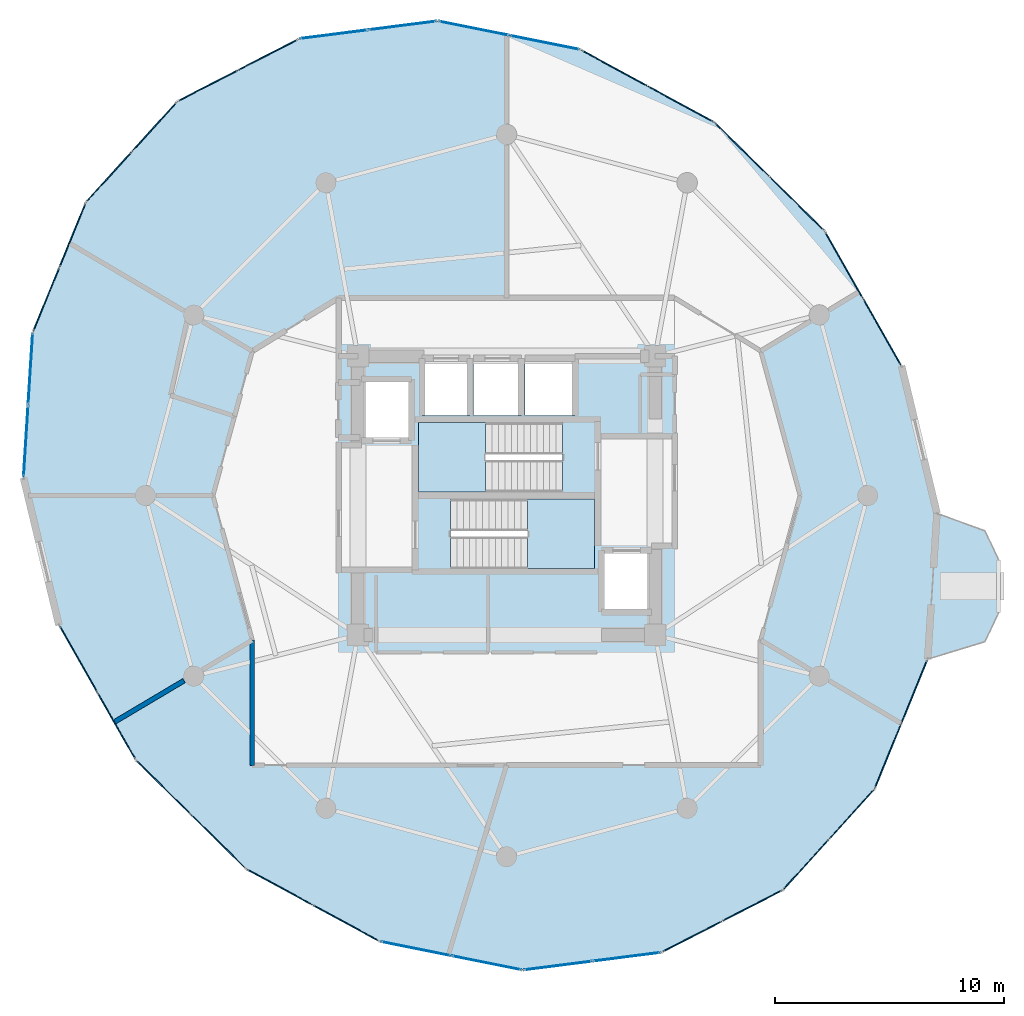
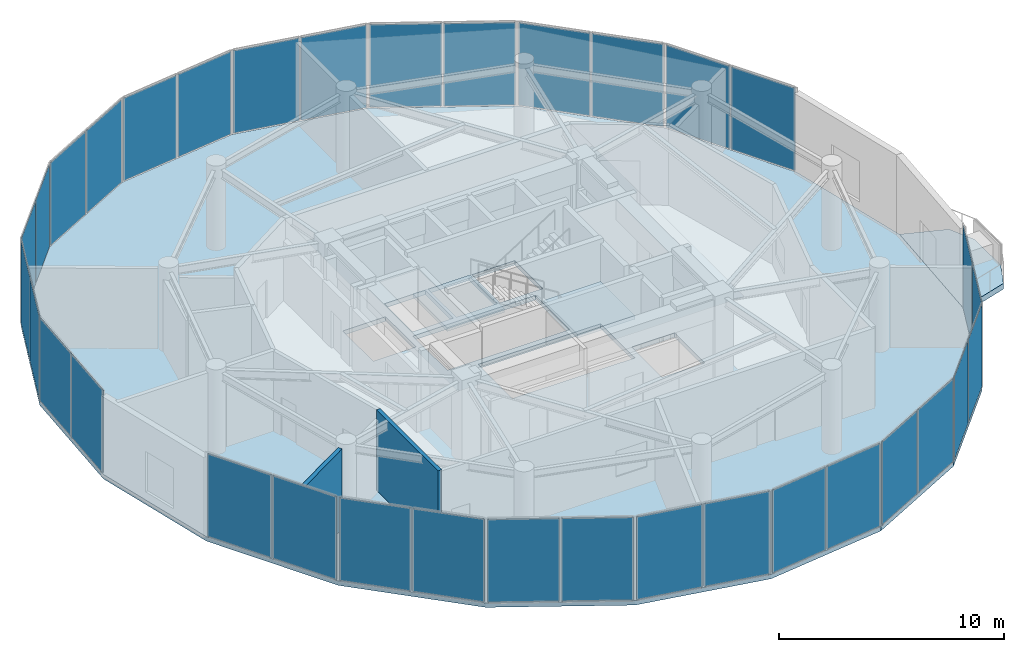
# One storey, part 18 of 23: 34 plates, 4 slabs, 2 walls, 19 elements without a shape of their own.
"""IFC4 building model written with IfcOpenShell, lengths in metres."""

from ifc_helpers import new_model, si_unit, direction, frame, frame_2d, origin, origin_2d, place, context, subcontext, project, spatial, polyline, rectangle, outline, extrude, source, transform, mapped, material, layer, layer_set, type_object, element, aggregate, save


model = new_model("IFC4")

# Units and contexts
model_context = context("Model", 3, precision=1e-05, world=origin(), true_north=direction((0.0, 1.0)))
body_context = subcontext(model_context, "Body", "Model", "MODEL_VIEW")
ifc_project = project(units=[si_unit("LENGTHUNIT", "METRE"), si_unit("AREAUNIT", "SQUARE_METRE"), si_unit("VOLUMEUNIT", "CUBIC_METRE"), si_unit("PLANEANGLEUNIT", "RADIAN"), si_unit("MASSUNIT", "GRAM", prefix="KILO")], contexts=[model_context])

# Site, building, storey
site_placement = place(None, origin())
site = spatial("IfcSite", under=ifc_project, at=site_placement, CompositionType="ELEMENT")
building_placement = place(site_placement, origin())
building = spatial("IfcBuilding", under=site, at=building_placement, Name="Solvirekh Grand Hotel", CompositionType="ELEMENT")
storey_placement = place(building_placement, frame((0.0, 0.0, 168.60009765625)))
storey = spatial("IfcBuildingStorey", under=building, at=storey_placement, Name="L43", CompositionType="ELEMENT", Elevation=168.60009765625)

# Slab
ifc_material_1 = material(Name="Concrete C50/60", Category="concrete")
ifc_layer_1 = layer(ifc_material_1, 0.31005859375)
ifc_layer_set_1 = layer_set([ifc_layer_1], Name="Concrete C50/60")
slab_type_1 = type_object("IfcSlabType", Name="ExtHornSkyGarden_310", PredefinedType="FLOOR", material=ifc_layer_set_1)
slab_1_placement = place(storey_placement, frame((0.0, 0.0, -0.31005859375)))
element("IfcSlab", 1, at=slab_1_placement, inside=storey, type_object=slab_type_1, Name="L43 east horn sky-garden deck", PredefinedType="FLOOR", context=body_context, shape_type="SweptSolid", body=[
    extrude(outline(polyline([(18.827880859375, -0.778076171875), (18.424072265625, -7.155029296875), (20.927978515625, -6.389892578125), (21.528076171875, -5.114013671875), (21.528076171875, -2.819091796875), (20.927978515625, -1.54296875), (18.827880859375, -0.778076171875)])), origin(), (0.0, 0.0, 1.0), 0.31005859375),
])

# Stair, slab
ifc_material_2 = material(Name="Concrete C40/50", Category="concrete")
stair_type = type_object("IfcStairType", Name="Stair_Core_1450", PredefinedType="HALF_TURN_STAIR", material=ifc_material_2)
stair_1_placement = place(storey_placement, origin())
stair_1 = element("IfcStair", 2, at=stair_1_placement, inside=storey, type_object=stair_type, Name="L43 Enclosed exit stair ST-1", PredefinedType="HALF_TURN_STAIR")
ifc_layer_2 = layer(ifc_material_2, 0.199951171875)
ifc_layer_set_2 = layer_set([ifc_layer_2], Name="Concrete C40/50")
slab_type_2 = type_object("IfcSlabType", Name="Landing_Stair_200", PredefinedType="LANDING", material=ifc_layer_set_2)
slab_2_placement = place(storey_placement, frame((0.0, 0.0, 2.099853515625)))
slab_2 = element("IfcSlab", 3, at=slab_2_placement, type_object=slab_type_2, Name="ST-1 landing 1", PredefinedType="LANDING", context=body_context, shape_type="SweptSolid", body=[
    extrude(outline(polyline([(0.909912109375, -3.199951171875), (3.85009765625, -3.199951171875), (3.85009765625, -0.14990234375), (0.909912109375, -0.14990234375), (0.909912109375, -3.199951171875)])), origin(), (0.0, 0.0, 1.0), 0.199951171875),
])
aggregate(stair_1, [slab_2])

stair_2_placement = place(storey_placement, origin())
stair_2 = element("IfcStair", 4, at=stair_2_placement, inside=storey, type_object=stair_type, Name="L43 Enclosed exit stair ST-2", PredefinedType="HALF_TURN_STAIR")
slab_3_placement = place(storey_placement, frame((0.0, 0.0, 2.099853515625)))
slab_3 = element("IfcSlab", 5, at=slab_3_placement, type_object=slab_type_2, Name="ST-2 landing 1", PredefinedType="LANDING", context=body_context, shape_type="SweptSolid", body=[
    extrude(outline(polyline([(-0.909912109375, 3.199951171875), (-3.85009765625, 3.199951171875), (-3.85009765625, 0.14990234375), (-0.909912109375, 0.14990234375), (-0.909912109375, 3.199951171875)])), origin(), (0.0, 0.0, 1.0), 0.199951171875),
])
aggregate(stair_2, [slab_3])

# Slab
ifc_layer_3 = layer(ifc_material_2, 0.239990234375)
ifc_layer_set_3 = layer_set([ifc_layer_3], Name="Concrete C40/50")
slab_type_3 = type_object("IfcSlabType", Name="Slab_GuestZ3_240", PredefinedType="FLOOR", material=ifc_layer_set_3)
slab_4_placement = place(storey_placement, frame((0.0, 0.0, -0.239990234375)))
element("IfcSlab", 6, at=slab_4_placement, inside=storey, type_object=slab_type_3, Name="L43 structural floor slab", PredefinedType="FLOOR", context=body_context, shape_type="SweptSolid", body=[
    extrude(outline(polyline([(12.096923828125, -17.2509765625), (16.10498046875, -12.8310546875), (18.424072265625, -7.155029296875), (18.827880859375, -0.778076171875), (17.27587890625, 5.675048828125), (13.919921875, 11.572021484375), (9.089111328125, 16.3359375), (3.2548828125, 19.5009765625), (-3.009033203125, 20.758056640625), (-9.091064453125, 19.98193359375), (-14.39697265625, 17.2509765625), (-18.405029296875, 12.8310546875), (-20.72412109375, 7.155029296875), (-21.1279296875, 0.778076171875), (-19.575927734375, -5.675048828125), (-16.219970703125, -11.572021484375), (-11.388916015625, -16.3359375), (-5.554931640625, -19.5009765625), (0.708984375, -20.758056640625), (6.791015625, -19.98193359375), (12.096923828125, -17.2509765625)]), holes=[polyline([(-2.444091796875, -0.14990234375), (3.85009765625, -0.14990234375), (3.85009765625, -3.199951171875), (-2.444091796875, -3.199951171875), (-2.444091796875, -0.14990234375)]), polyline([(2.444091796875, 0.14990234375), (-3.85009765625, 0.14990234375), (-3.85009765625, 3.199951171875), (2.444091796875, 3.199951171875), (2.444091796875, 0.14990234375)]), polyline([(-3.699951171875, 6.0), (-1.60009765625, 6.0), (-1.60009765625, 3.5), (-3.699951171875, 3.5), (-3.699951171875, 6.0)]), polyline([(-1.449951171875, 6.0), (0.64990234375, 6.0), (0.64990234375, 3.5), (-1.449951171875, 3.5), (-1.449951171875, 6.0)]), polyline([(0.800048828125, 6.0), (3.0, 6.0), (3.0, 3.5), (0.800048828125, 3.5), (0.800048828125, 6.0)]), polyline([(-6.35009765625, 5.10009765625), (-4.14990234375, 5.10009765625), (-4.14990234375, 2.39990234375), (-6.35009765625, 2.39990234375), (-6.35009765625, 5.10009765625)]), polyline([(4.14990234375, -2.39990234375), (6.35009765625, -2.39990234375), (6.35009765625, -5.10009765625), (4.14990234375, -5.10009765625), (4.14990234375, -2.39990234375)])]), origin(), (0.0, 0.0, 1.0), 0.239990234375),
])

# Curtain wall, plates
ifc_material_3 = material(Name="Anodized Bronze Aluminium 6063-T6", Category="aluminium")
ifc_layer_4 = layer(ifc_material_3, 0.18994140625)
ifc_layer_set_4 = layer_set([ifc_layer_4], Name="Anodized Bronze Aluminium 6063-T6")
curtain_wall_type = type_object("IfcCurtainWallType", Name="CW_Sys5_SkyLobbyPanoramaCW", PredefinedType="NOTDEFINED", material=ifc_layer_set_4)
curtain_wall_1_placement = place(storey_placement, origin())
curtain_wall_1 = element("IfcCurtainWall", 7, at=curtain_wall_1_placement, inside=storey, type_object=curtain_wall_type, Name="L43 unitised bronze-glass curtain wall CW-L43-C01", PredefinedType="NOTDEFINED")
ifc_material_4 = material(Name="Low-E Tinted Bronze Laminated Glass", Category="aluminium")
ifc_layer_5 = layer(ifc_material_4, 0.0419921875)
ifc_layer_set_5 = layer_set([ifc_layer_5], Name="Low-E Tinted Bronze Laminated Glass")
plate_type = type_object("IfcPlateType", Name="CWPanel_SkyLobby_42", PredefinedType="CURTAIN_PANEL", material=ifc_layer_set_5)
shared_shape_1 = source(origin(), body_context, "Body", "SweptSolid", [
    extrude(rectangle(XDim=2.87841796875, YDim=0.0419921875, at=origin_2d()), origin(), (0.0, 0.0, 1.0), 4.47998046875),
])
plate_1_placement = place(storey_placement, frame((13.11083984375, -16.133056640625, 0.059814453125), z_axis=(0.0, 0.0, 1.0), x_axis=(0.671737948594, 0.740788855491, 0.0)))
plate_1 = element("IfcPlate", 8, at=plate_1_placement, type_object=plate_type, Name="U05 panel 1.1", PredefinedType="CURTAIN_PANEL", context=body_context, shape_type="MappedRepresentation", body=[
    mapped(shared_shape_1, transform((0.0, 0.0, 0.0), x_axis=(1.0, 0.0, 0.0), y_axis=(0.0, 1.0, 0.0), z_axis=(0.0, 0.0, 1.0), scale=1.0)),
])
plate_2_placement = place(storey_placement, frame((15.09130859375, -13.948974609375, 0.059814453125), z_axis=(0.0, 0.0, 1.0), x_axis=(0.671737948594, 0.740788855491, 0.0)))
plate_2 = element("IfcPlate", 9, at=plate_2_placement, type_object=plate_type, Name="U05 panel 2.1", PredefinedType="CURTAIN_PANEL", context=body_context, shape_type="MappedRepresentation", body=[
    mapped(shared_shape_1, transform((0.0, 0.0, 0.0), x_axis=(1.0, 0.0, 0.0), y_axis=(0.0, 1.0, 0.0), z_axis=(0.0, 0.0, 1.0), scale=1.0)),
])
aggregate(curtain_wall_1, [plate_1, plate_2])

curtain_wall_2_placement = place(storey_placement, origin())
curtain_wall_2 = element("IfcCurtainWall", 10, at=curtain_wall_2_placement, inside=storey, type_object=curtain_wall_type, Name="L43 unitised bronze-glass curtain wall CW-L43-C11", PredefinedType="NOTDEFINED")
plate_3_placement = place(storey_placement, frame((-15.41064453125, 16.133056640625, 0.059814453125), z_axis=(0.0, 0.0, 1.0), x_axis=(-0.671737948594, -0.740788855491, 0.0)))
plate_3 = element("IfcPlate", 11, at=plate_3_placement, type_object=plate_type, Name="U05 panel 1.1", PredefinedType="CURTAIN_PANEL", context=body_context, shape_type="MappedRepresentation", body=[
    mapped(shared_shape_1, transform((0.0, 0.0, 0.0), x_axis=(1.0, 0.0, 0.0), y_axis=(0.0, 1.0, 0.0), z_axis=(0.0, 0.0, 1.0), scale=1.0)),
])
plate_4_placement = place(storey_placement, frame((-17.391357421875, 13.948974609375, 0.059814453125), z_axis=(0.0, 0.0, 1.0), x_axis=(-0.671737948594, -0.740788855491, 0.0)))
plate_4 = element("IfcPlate", 12, at=plate_4_placement, type_object=plate_type, Name="U05 panel 2.1", PredefinedType="CURTAIN_PANEL", context=body_context, shape_type="MappedRepresentation", body=[
    mapped(shared_shape_1, transform((0.0, 0.0, 0.0), x_axis=(1.0, 0.0, 0.0), y_axis=(0.0, 1.0, 0.0), z_axis=(0.0, 0.0, 1.0), scale=1.0)),
])
aggregate(curtain_wall_2, [plate_3, plate_4])

curtain_wall_3_placement = place(storey_placement, origin())
curtain_wall_3 = element("IfcCurtainWall", 13, at=curtain_wall_3_placement, inside=storey, type_object=curtain_wall_type, Name="L43 unitised bronze-glass curtain wall CW-L43-C02", PredefinedType="NOTDEFINED")
shared_shape_2 = source(origin(), body_context, "Body", "SweptSolid", [
    extrude(rectangle(XDim=2.960693359375, YDim=0.0419921875, at=origin_2d()), origin(), (0.0, 0.0, 1.0), 4.47998046875),
])
plate_5_placement = place(storey_placement, frame((16.69140625, -11.395751953125, 0.059814453125), z_axis=(0.0, 0.0, 1.0), x_axis=(0.378213671203, 0.925718325904, 0.0)))
plate_5 = element("IfcPlate", 14, at=plate_5_placement, type_object=plate_type, Name="U05 panel 1.1", PredefinedType="CURTAIN_PANEL", context=body_context, shape_type="MappedRepresentation", body=[
    mapped(shared_shape_2, transform((0.0, 0.0, 0.0), x_axis=(1.0, 0.0, 0.0), y_axis=(0.0, 1.0, 0.0), z_axis=(0.0, 0.0, 1.0), scale=1.0)),
])
plate_6_placement = place(storey_placement, frame((17.837646484375, -8.590087890625, 0.059814453125), z_axis=(0.0, 0.0, 1.0), x_axis=(0.378213671203, 0.925718325904, 0.0)))
plate_6 = element("IfcPlate", 15, at=plate_6_placement, type_object=plate_type, Name="U05 panel 2.1", PredefinedType="CURTAIN_PANEL", context=body_context, shape_type="MappedRepresentation", body=[
    mapped(shared_shape_2, transform((0.0, 0.0, 0.0), x_axis=(1.0, 0.0, 0.0), y_axis=(0.0, 1.0, 0.0), z_axis=(0.0, 0.0, 1.0), scale=1.0)),
])
aggregate(curtain_wall_3, [plate_5, plate_6])

curtain_wall_4_placement = place(storey_placement, origin())
curtain_wall_4 = element("IfcCurtainWall", 16, at=curtain_wall_4_placement, inside=storey, type_object=curtain_wall_type, Name="L43 unitised bronze-glass curtain wall CW-L43-C09", PredefinedType="NOTDEFINED")
plate_7_placement = place(storey_placement, frame((-4.546875, 20.561767578125, 0.059814453125), z_axis=(0.0, 0.0, 1.0), x_axis=(-0.991958495155, -0.12656359623, 0.0)))
plate_7 = element("IfcPlate", 17, at=plate_7_placement, type_object=plate_type, Name="U05 panel 1.1", PredefinedType="CURTAIN_PANEL", context=body_context, shape_type="MappedRepresentation", body=[
    mapped(shared_shape_2, transform((0.0, 0.0, 0.0), x_axis=(1.0, 0.0, 0.0), y_axis=(0.0, 1.0, 0.0), z_axis=(0.0, 0.0, 1.0), scale=1.0)),
])
plate_8_placement = place(storey_placement, frame((-7.55322265625, 20.17822265625, 0.059814453125), z_axis=(0.0, 0.0, 1.0), x_axis=(-0.991958495155, -0.12656359623, 0.0)))
plate_8 = element("IfcPlate", 18, at=plate_8_placement, type_object=plate_type, Name="U05 panel 2.1", PredefinedType="CURTAIN_PANEL", context=body_context, shape_type="MappedRepresentation", body=[
    mapped(shared_shape_2, transform((0.0, 0.0, 0.0), x_axis=(1.0, 0.0, 0.0), y_axis=(0.0, 1.0, 0.0), z_axis=(0.0, 0.0, 1.0), scale=1.0)),
])
aggregate(curtain_wall_4, [plate_7, plate_8])

curtain_wall_5_placement = place(storey_placement, origin())
curtain_wall_5 = element("IfcCurtainWall", 19, at=curtain_wall_5_placement, inside=storey, type_object=curtain_wall_type, Name="L43 unitised bronze-glass curtain wall CW-L43-C12", PredefinedType="NOTDEFINED")
plate_9_placement = place(storey_placement, frame((-18.991455078125, 11.395751953125, 0.059814453125), z_axis=(0.0, 0.0, 1.0), x_axis=(-0.378213671203, -0.925718325904, 0.0)))
plate_9 = element("IfcPlate", 20, at=plate_9_placement, type_object=plate_type, Name="U05 panel 1.1", PredefinedType="CURTAIN_PANEL", context=body_context, shape_type="MappedRepresentation", body=[
    mapped(shared_shape_2, transform((0.0, 0.0, 0.0), x_axis=(1.0, 0.0, 0.0), y_axis=(0.0, 1.0, 0.0), z_axis=(0.0, 0.0, 1.0), scale=1.0)),
])
plate_10_placement = place(storey_placement, frame((-20.1376953125, 8.590087890625, 0.059814453125), z_axis=(0.0, 0.0, 1.0), x_axis=(-0.378213671203, -0.925718325904, 0.0)))
plate_10 = element("IfcPlate", 21, at=plate_10_placement, type_object=plate_type, Name="U05 panel 2.1", PredefinedType="CURTAIN_PANEL", context=body_context, shape_type="MappedRepresentation", body=[
    mapped(shared_shape_2, transform((0.0, 0.0, 0.0), x_axis=(1.0, 0.0, 0.0), y_axis=(0.0, 1.0, 0.0), z_axis=(0.0, 0.0, 1.0), scale=1.0)),
])
aggregate(curtain_wall_5, [plate_9, plate_10])

curtain_wall_6_placement = place(storey_placement, origin())
curtain_wall_6 = element("IfcCurtainWall", 22, at=curtain_wall_6_placement, inside=storey, type_object=curtain_wall_type, Name="L43 unitised bronze-glass curtain wall CW-L43-C19", PredefinedType="NOTDEFINED")
plate_11_placement = place(storey_placement, frame((2.246826171875, -20.561767578125, 0.059814453125), z_axis=(0.0, 0.0, 1.0), x_axis=(0.991958495155, 0.12656359623, 0.0)))
plate_11 = element("IfcPlate", 23, at=plate_11_placement, type_object=plate_type, Name="U05 panel 1.1", PredefinedType="CURTAIN_PANEL", context=body_context, shape_type="MappedRepresentation", body=[
    mapped(shared_shape_2, transform((0.0, 0.0, 0.0), x_axis=(1.0, 0.0, 0.0), y_axis=(0.0, 1.0, 0.0), z_axis=(0.0, 0.0, 1.0), scale=1.0)),
])
plate_12_placement = place(storey_placement, frame((5.253173828125, -20.17822265625, 0.059814453125), z_axis=(0.0, 0.0, 1.0), x_axis=(0.991958495155, 0.12656359623, 0.0)))
plate_12 = element("IfcPlate", 24, at=plate_12_placement, type_object=plate_type, Name="U05 panel 2.1", PredefinedType="CURTAIN_PANEL", context=body_context, shape_type="MappedRepresentation", body=[
    mapped(shared_shape_2, transform((0.0, 0.0, 0.0), x_axis=(1.0, 0.0, 0.0), y_axis=(0.0, 1.0, 0.0), z_axis=(0.0, 0.0, 1.0), scale=1.0)),
])
aggregate(curtain_wall_6, [plate_11, plate_12])

curtain_wall_7_placement = place(storey_placement, origin())
curtain_wall_7 = element("IfcCurtainWall", 25, at=curtain_wall_7_placement, inside=storey, type_object=curtain_wall_type, Name="L43 unitised bronze-glass curtain wall CW-L43-C05", PredefinedType="NOTDEFINED")
shared_shape_3 = source(origin(), body_context, "Body", "SweptSolid", [
    extrude(rectangle(XDim=3.28759765625, YDim=0.0419921875, at=origin_2d()), origin(), (0.0, 0.0, 1.0), 4.47998046875),
])
plate_13_placement = place(storey_placement, frame((16.42822265625, 7.16455078125, 0.059814453125), z_axis=(0.0, 0.0, 1.0), x_axis=(-0.494614469755, 0.869112493472, 0.0)))
plate_13 = element("IfcPlate", 26, at=plate_13_placement, type_object=plate_type, Name="U05 panel 1.1", PredefinedType="CURTAIN_PANEL", context=body_context, shape_type="MappedRepresentation", body=[
    mapped(shared_shape_3, transform((0.0, 0.0, 0.0), x_axis=(1.0, 0.0, 0.0), y_axis=(0.0, 1.0, 0.0), z_axis=(0.0, 0.0, 1.0), scale=1.0)),
])
plate_14_placement = place(storey_placement, frame((14.767578125, 10.08251953125, 0.059814453125), z_axis=(0.0, 0.0, 1.0), x_axis=(-0.494614469755, 0.869112493472, 0.0)))
plate_14 = element("IfcPlate", 27, at=plate_14_placement, type_object=plate_type, Name="U05 panel 2.1", PredefinedType="CURTAIN_PANEL", context=body_context, shape_type="MappedRepresentation", body=[
    mapped(shared_shape_3, transform((0.0, 0.0, 0.0), x_axis=(1.0, 0.0, 0.0), y_axis=(0.0, 1.0, 0.0), z_axis=(0.0, 0.0, 1.0), scale=1.0)),
])
aggregate(curtain_wall_7, [plate_13, plate_14])

curtain_wall_8_placement = place(storey_placement, origin())
curtain_wall_8 = element("IfcCurtainWall", 28, at=curtain_wall_8_placement, inside=storey, type_object=curtain_wall_type, Name="L43 unitised bronze-glass curtain wall CW-L43-C15", PredefinedType="NOTDEFINED")
plate_15_placement = place(storey_placement, frame((-18.728271484375, -7.16455078125, 0.059814453125), z_axis=(0.0, 0.0, 1.0), x_axis=(0.494614469755, -0.869112493472, 0.0)))
plate_15 = element("IfcPlate", 29, at=plate_15_placement, type_object=plate_type, Name="U05 panel 1.1", PredefinedType="CURTAIN_PANEL", context=body_context, shape_type="MappedRepresentation", body=[
    mapped(shared_shape_3, transform((0.0, 0.0, 0.0), x_axis=(1.0, 0.0, 0.0), y_axis=(0.0, 1.0, 0.0), z_axis=(0.0, 0.0, 1.0), scale=1.0)),
])
plate_16_placement = place(storey_placement, frame((-17.067626953125, -10.08251953125, 0.059814453125), z_axis=(0.0, 0.0, 1.0), x_axis=(0.494614469755, -0.869112493472, 0.0)))
plate_16 = element("IfcPlate", 30, at=plate_16_placement, type_object=plate_type, Name="U05 panel 2.1", PredefinedType="CURTAIN_PANEL", context=body_context, shape_type="MappedRepresentation", body=[
    mapped(shared_shape_3, transform((0.0, 0.0, 0.0), x_axis=(1.0, 0.0, 0.0), y_axis=(0.0, 1.0, 0.0), z_axis=(0.0, 0.0, 1.0), scale=1.0)),
])
aggregate(curtain_wall_8, [plate_15, plate_16])

curtain_wall_9_placement = place(storey_placement, origin())
curtain_wall_9 = element("IfcCurtainWall", 31, at=curtain_wall_9_placement, inside=storey, type_object=curtain_wall_type, Name="L43 unitised bronze-glass curtain wall CW-L43-C06", PredefinedType="NOTDEFINED")
shared_shape_4 = source(origin(), body_context, "Body", "SweptSolid", [
    extrude(rectangle(XDim=3.287353515625, YDim=0.0419921875, at=origin_2d()), origin(), (0.0, 0.0, 1.0), 4.47998046875),
])
plate_17_placement = place(storey_placement, frame((12.69970703125, 12.775390625, 0.059814453125), z_axis=(0.0, 0.0, 1.0), x_axis=(-0.712027010082, 0.702152075347, 0.0)))
plate_17 = element("IfcPlate", 32, at=plate_17_placement, type_object=plate_type, Name="U05 panel 1.1", PredefinedType="CURTAIN_PANEL", context=body_context, shape_type="MappedRepresentation", body=[
    mapped(shared_shape_4, transform((0.0, 0.0, 0.0), x_axis=(1.0, 0.0, 0.0), y_axis=(0.0, 1.0, 0.0), z_axis=(0.0, 0.0, 1.0), scale=1.0)),
])
plate_18_placement = place(storey_placement, frame((10.309326171875, 15.1328125, 0.059814453125), z_axis=(0.0, 0.0, 1.0), x_axis=(-0.712027010082, 0.702152075347, 0.0)))
plate_18 = element("IfcPlate", 33, at=plate_18_placement, type_object=plate_type, Name="U05 panel 2.1", PredefinedType="CURTAIN_PANEL", context=body_context, shape_type="MappedRepresentation", body=[
    mapped(shared_shape_4, transform((0.0, 0.0, 0.0), x_axis=(1.0, 0.0, 0.0), y_axis=(0.0, 1.0, 0.0), z_axis=(0.0, 0.0, 1.0), scale=1.0)),
])
aggregate(curtain_wall_9, [plate_17, plate_18])

curtain_wall_10_placement = place(storey_placement, origin())
curtain_wall_10 = element("IfcCurtainWall", 34, at=curtain_wall_10_placement, inside=storey, type_object=curtain_wall_type, Name="L43 unitised bronze-glass curtain wall CW-L43-C16", PredefinedType="NOTDEFINED")
plate_19_placement = place(storey_placement, frame((-14.999755859375, -12.775390625, 0.059814453125), z_axis=(0.0, 0.0, 1.0), x_axis=(0.712027010082, -0.702152075347, 0.0)))
plate_19 = element("IfcPlate", 35, at=plate_19_placement, type_object=plate_type, Name="U05 panel 1.1", PredefinedType="CURTAIN_PANEL", context=body_context, shape_type="MappedRepresentation", body=[
    mapped(shared_shape_4, transform((0.0, 0.0, 0.0), x_axis=(1.0, 0.0, 0.0), y_axis=(0.0, 1.0, 0.0), z_axis=(0.0, 0.0, 1.0), scale=1.0)),
])
plate_20_placement = place(storey_placement, frame((-12.609130859375, -15.1328125, 0.059814453125), z_axis=(0.0, 0.0, 1.0), x_axis=(0.712027010082, -0.702152075347, 0.0)))
plate_20 = element("IfcPlate", 36, at=plate_20_placement, type_object=plate_type, Name="U05 panel 2.1", PredefinedType="CURTAIN_PANEL", context=body_context, shape_type="MappedRepresentation", body=[
    mapped(shared_shape_4, transform((0.0, 0.0, 0.0), x_axis=(1.0, 0.0, 0.0), y_axis=(0.0, 1.0, 0.0), z_axis=(0.0, 0.0, 1.0), scale=1.0)),
])
aggregate(curtain_wall_10, [plate_19, plate_20])

curtain_wall_11_placement = place(storey_placement, origin())
curtain_wall_11 = element("IfcCurtainWall", 37, at=curtain_wall_11_placement, inside=storey, type_object=curtain_wall_type, Name="L43 unitised bronze-glass curtain wall CW-L43-C07", PredefinedType="NOTDEFINED")
shared_shape_5 = source(origin(), body_context, "Body", "SweptSolid", [
    extrude(rectangle(XDim=3.213623046875, YDim=0.0419921875, at=origin_2d()), origin(), (0.0, 0.0, 1.0), 4.47998046875),
])
plate_21_placement = place(storey_placement, frame((7.615234375, 17.135498046875, 0.059814453125), z_axis=(0.0, 0.0, 1.0), x_axis=(-0.878981550988, 0.476855778012, 0.0)))
plate_21 = element("IfcPlate", 38, at=plate_21_placement, type_object=plate_type, Name="U05 panel 1.1", PredefinedType="CURTAIN_PANEL", context=body_context, shape_type="MappedRepresentation", body=[
    mapped(shared_shape_5, transform((0.0, 0.0, 0.0), x_axis=(1.0, 0.0, 0.0), y_axis=(0.0, 1.0, 0.0), z_axis=(0.0, 0.0, 1.0), scale=1.0)),
])
plate_22_placement = place(storey_placement, frame((4.72900390625, 18.701416015625, 0.059814453125), z_axis=(0.0, 0.0, 1.0), x_axis=(-0.878981550988, 0.476855778012, 0.0)))
plate_22 = element("IfcPlate", 39, at=plate_22_placement, type_object=plate_type, Name="U05 panel 2.1", PredefinedType="CURTAIN_PANEL", context=body_context, shape_type="MappedRepresentation", body=[
    mapped(shared_shape_5, transform((0.0, 0.0, 0.0), x_axis=(1.0, 0.0, 0.0), y_axis=(0.0, 1.0, 0.0), z_axis=(0.0, 0.0, 1.0), scale=1.0)),
])
aggregate(curtain_wall_11, [plate_21, plate_22])

curtain_wall_12_placement = place(storey_placement, origin())
curtain_wall_12 = element("IfcCurtainWall", 40, at=curtain_wall_12_placement, inside=storey, type_object=curtain_wall_type, Name="L43 unitised bronze-glass curtain wall CW-L43-C17", PredefinedType="NOTDEFINED")
plate_23_placement = place(storey_placement, frame((-9.9150390625, -17.135498046875, 0.059814453125), z_axis=(0.0, 0.0, 1.0), x_axis=(0.878981550988, -0.476855778012, 0.0)))
plate_23 = element("IfcPlate", 41, at=plate_23_placement, type_object=plate_type, Name="U05 panel 1.1", PredefinedType="CURTAIN_PANEL", context=body_context, shape_type="MappedRepresentation", body=[
    mapped(shared_shape_5, transform((0.0, 0.0, 0.0), x_axis=(1.0, 0.0, 0.0), y_axis=(0.0, 1.0, 0.0), z_axis=(0.0, 0.0, 1.0), scale=1.0)),
])
plate_24_placement = place(storey_placement, frame((-7.02880859375, -18.701416015625, 0.059814453125), z_axis=(0.0, 0.0, 1.0), x_axis=(0.878981550988, -0.476855778012, 0.0)))
plate_24 = element("IfcPlate", 42, at=plate_24_placement, type_object=plate_type, Name="U05 panel 2.1", PredefinedType="CURTAIN_PANEL", context=body_context, shape_type="MappedRepresentation", body=[
    mapped(shared_shape_5, transform((0.0, 0.0, 0.0), x_axis=(1.0, 0.0, 0.0), y_axis=(0.0, 1.0, 0.0), z_axis=(0.0, 0.0, 1.0), scale=1.0)),
])
aggregate(curtain_wall_12, [plate_23, plate_24])

curtain_wall_13_placement = place(storey_placement, origin())
curtain_wall_13 = element("IfcCurtainWall", 43, at=curtain_wall_13_placement, inside=storey, type_object=curtain_wall_type, Name="L43 unitised bronze-glass curtain wall CW-L43-C08", PredefinedType="NOTDEFINED")
shared_shape_6 = source(origin(), body_context, "Body", "SweptSolid", [
    extrude(rectangle(XDim=3.08935546875, YDim=0.0419921875, at=origin_2d()), origin(), (0.0, 0.0, 1.0), 4.47998046875),
])
plate_25_placement = place(storey_placement, frame((1.671875, 19.818603515625, 0.059814453125), z_axis=(0.0, 0.0, 1.0), x_axis=(-0.980454050308, 0.196748202622, 0.0)))
plate_25 = element("IfcPlate", 44, at=plate_25_placement, type_object=plate_type, Name="U05 panel 1.1", PredefinedType="CURTAIN_PANEL", context=body_context, shape_type="MappedRepresentation", body=[
    mapped(shared_shape_6, transform((0.0, 0.0, 0.0), x_axis=(1.0, 0.0, 0.0), y_axis=(0.0, 1.0, 0.0), z_axis=(0.0, 0.0, 1.0), scale=1.0)),
])
plate_26_placement = place(storey_placement, frame((-1.42578125, 20.440185546875, 0.059814453125), z_axis=(0.0, 0.0, 1.0), x_axis=(-0.980454050308, 0.196748202622, 0.0)))
plate_26 = element("IfcPlate", 45, at=plate_26_placement, type_object=plate_type, Name="U05 panel 2.1", PredefinedType="CURTAIN_PANEL", context=body_context, shape_type="MappedRepresentation", body=[
    mapped(shared_shape_6, transform((0.0, 0.0, 0.0), x_axis=(1.0, 0.0, 0.0), y_axis=(0.0, 1.0, 0.0), z_axis=(0.0, 0.0, 1.0), scale=1.0)),
])
aggregate(curtain_wall_13, [plate_25, plate_26])

curtain_wall_14_placement = place(storey_placement, origin())
curtain_wall_14 = element("IfcCurtainWall", 46, at=curtain_wall_14_placement, inside=storey, type_object=curtain_wall_type, Name="L43 unitised bronze-glass curtain wall CW-L43-C18", PredefinedType="NOTDEFINED")
plate_27_placement = place(storey_placement, frame((-3.971923828125, -19.818603515625, 0.059814453125), z_axis=(0.0, 0.0, 1.0), x_axis=(0.980454050308, -0.196748202622, 0.0)))
plate_27 = element("IfcPlate", 47, at=plate_27_placement, type_object=plate_type, Name="U05 panel 1.1", PredefinedType="CURTAIN_PANEL", context=body_context, shape_type="MappedRepresentation", body=[
    mapped(shared_shape_6, transform((0.0, 0.0, 0.0), x_axis=(1.0, 0.0, 0.0), y_axis=(0.0, 1.0, 0.0), z_axis=(0.0, 0.0, 1.0), scale=1.0)),
])
plate_28_placement = place(storey_placement, frame((-0.874267578125, -20.440185546875, 0.059814453125), z_axis=(0.0, 0.0, 1.0), x_axis=(0.980454050308, -0.196748202622, 0.0)))
plate_28 = element("IfcPlate", 48, at=plate_28_placement, type_object=plate_type, Name="U05 panel 2.1", PredefinedType="CURTAIN_PANEL", context=body_context, shape_type="MappedRepresentation", body=[
    mapped(shared_shape_6, transform((0.0, 0.0, 0.0), x_axis=(1.0, 0.0, 0.0), y_axis=(0.0, 1.0, 0.0), z_axis=(0.0, 0.0, 1.0), scale=1.0)),
])
aggregate(curtain_wall_14, [plate_27, plate_28])

curtain_wall_15_placement = place(storey_placement, origin())
curtain_wall_15 = element("IfcCurtainWall", 49, at=curtain_wall_15_placement, inside=storey, type_object=curtain_wall_type, Name="L43 unitised bronze-glass curtain wall CW-L43-C10", PredefinedType="NOTDEFINED")
shared_shape_7 = source(origin(), body_context, "Body", "SweptSolid", [
    extrude(rectangle(XDim=2.87890625, YDim=0.0419921875, at=origin_2d()), origin(), (0.0, 0.0, 1.0), 4.47998046875),
])
plate_29_placement = place(storey_placement, frame((-10.43310546875, 19.291259765625, 0.059814453125), z_axis=(0.0, 0.0, 1.0), x_axis=(-0.889137815862, -0.457639535446, 0.0)))
plate_29 = element("IfcPlate", 50, at=plate_29_placement, type_object=plate_type, Name="U05 panel 1.1", PredefinedType="CURTAIN_PANEL", context=body_context, shape_type="MappedRepresentation", body=[
    mapped(shared_shape_7, transform((0.0, 0.0, 0.0), x_axis=(1.0, 0.0, 0.0), y_axis=(0.0, 1.0, 0.0), z_axis=(0.0, 0.0, 1.0), scale=1.0)),
])
plate_30_placement = place(storey_placement, frame((-13.054931640625, 17.941650390625, 0.059814453125), z_axis=(0.0, 0.0, 1.0), x_axis=(-0.889137815862, -0.457639535446, 0.0)))
plate_30 = element("IfcPlate", 51, at=plate_30_placement, type_object=plate_type, Name="U05 panel 2.1", PredefinedType="CURTAIN_PANEL", context=body_context, shape_type="MappedRepresentation", body=[
    mapped(shared_shape_7, transform((0.0, 0.0, 0.0), x_axis=(1.0, 0.0, 0.0), y_axis=(0.0, 1.0, 0.0), z_axis=(0.0, 0.0, 1.0), scale=1.0)),
])
aggregate(curtain_wall_15, [plate_29, plate_30])

curtain_wall_16_placement = place(storey_placement, origin())
curtain_wall_16 = element("IfcCurtainWall", 52, at=curtain_wall_16_placement, inside=storey, type_object=curtain_wall_type, Name="L43 unitised bronze-glass curtain wall CW-L43-C20", PredefinedType="NOTDEFINED")
plate_31_placement = place(storey_placement, frame((8.133056640625, -19.291259765625, 0.059814453125), z_axis=(0.0, 0.0, 1.0), x_axis=(0.889137815862, 0.457639535446, 0.0)))
plate_31 = element("IfcPlate", 53, at=plate_31_placement, type_object=plate_type, Name="U05 panel 1.1", PredefinedType="CURTAIN_PANEL", context=body_context, shape_type="MappedRepresentation", body=[
    mapped(shared_shape_7, transform((0.0, 0.0, 0.0), x_axis=(1.0, 0.0, 0.0), y_axis=(0.0, 1.0, 0.0), z_axis=(0.0, 0.0, 1.0), scale=1.0)),
])
plate_32_placement = place(storey_placement, frame((10.7548828125, -17.941650390625, 0.059814453125), z_axis=(0.0, 0.0, 1.0), x_axis=(0.889137815862, 0.457639535446, 0.0)))
plate_32 = element("IfcPlate", 54, at=plate_32_placement, type_object=plate_type, Name="U05 panel 2.1", PredefinedType="CURTAIN_PANEL", context=body_context, shape_type="MappedRepresentation", body=[
    mapped(shared_shape_7, transform((0.0, 0.0, 0.0), x_axis=(1.0, 0.0, 0.0), y_axis=(0.0, 1.0, 0.0), z_axis=(0.0, 0.0, 1.0), scale=1.0)),
])
aggregate(curtain_wall_16, [plate_31, plate_32])

curtain_wall_17_placement = place(storey_placement, origin())
curtain_wall_17 = element("IfcCurtainWall", 55, at=curtain_wall_17_placement, inside=storey, type_object=curtain_wall_type, Name="L43 unitised bronze-glass curtain wall CW-L43-C13", PredefinedType="NOTDEFINED")
shared_shape_8 = source(origin(), body_context, "Body", "SweptSolid", [
    extrude(rectangle(XDim=3.08984375, YDim=0.0419921875, at=origin_2d()), origin(), (0.0, 0.0, 1.0), 4.47998046875),
])
plate_33_placement = place(storey_placement, frame((-20.826171875, 5.543212890625, 0.059814453125), z_axis=(0.0, 0.0, 1.0), x_axis=(-0.063225920175, -0.997999239989, 0.0)))
plate_33 = element("IfcPlate", 56, at=plate_33_placement, type_object=plate_type, Name="U05 panel 1.1", PredefinedType="CURTAIN_PANEL", context=body_context, shape_type="MappedRepresentation", body=[
    mapped(shared_shape_8, transform((0.0, 0.0, 0.0), x_axis=(1.0, 0.0, 0.0), y_axis=(0.0, 1.0, 0.0), z_axis=(0.0, 0.0, 1.0), scale=1.0)),
])
plate_34_placement = place(storey_placement, frame((-21.02587890625, 2.3896484375, 0.059814453125), z_axis=(0.0, 0.0, 1.0), x_axis=(-0.063225920175, -0.997999239989, 0.0)))
plate_34 = element("IfcPlate", 57, at=plate_34_placement, type_object=plate_type, Name="U05 panel 2.1", PredefinedType="CURTAIN_PANEL", context=body_context, shape_type="MappedRepresentation", body=[
    mapped(shared_shape_8, transform((0.0, 0.0, 0.0), x_axis=(1.0, 0.0, 0.0), y_axis=(0.0, 1.0, 0.0), z_axis=(0.0, 0.0, 1.0), scale=1.0)),
])
aggregate(curtain_wall_17, [plate_33, plate_34])

# Walls
ifc_material_5 = material(Name="Acoustic Gypsum Partition Assembly")
ifc_layer_6 = layer(ifc_material_5, 0.18994140625)
ifc_layer_set_6 = layer_set([ifc_layer_6], Name="Acoustic Gypsum Partition Assembly")
wall_type_1 = type_object("IfcWallType", Name="Part_GuestDemise_190", PredefinedType="PARTITIONING", material=ifc_layer_set_6)
wall_1_placement = place(storey_placement, frame((-11.1279296875, -6.324951171875, 0.0), z_axis=(0.0, 0.0, 1.0), x_axis=(0.0, -1.0, 0.0)))
element("IfcWall", 58, at=wall_1_placement, inside=storey, type_object=wall_type_1, Name="L43 L43 Panoramic Belvedere Salon corridor wall 2", PredefinedType="PARTITIONING", context=body_context, shape_type="SweptSolid", body=[
    extrude(rectangle(XDim=5.47509765625, YDim=0.18994140625, at=frame_2d((2.737548828125, 0.0))), origin(), (0.0, 0.0, 1.0), 4.35986328125),
])
ifc_layer_7 = layer(ifc_material_5, 0.2099609375)
ifc_layer_set_7 = layer_set([ifc_layer_7], Name="Acoustic Gypsum Partition Assembly")
wall_type_2 = type_object("IfcWallType", Name="Part_SuiteDemise_210", PredefinedType="PARTITIONING", material=ifc_layer_set_7)
wall_2_placement = place(storey_placement, frame((-14.110107421875, -8.095947265625, 0.0), z_axis=(0.0, 0.0, 1.0), x_axis=(-0.859673605407, -0.510843706203, 0.0)))
element("IfcWall", 59, at=wall_2_placement, inside=storey, type_object=wall_type_2, Name="L43 radial demising wall 8 (B)", PredefinedType="PARTITIONING", context=body_context, shape_type="SweptSolid", body=[
    extrude(rectangle(XDim=3.51416015625, YDim=0.2099609375, at=frame_2d((1.757080078125, 0.0))), origin(), (0.0, 0.0, 1.0), 4.35986328125),
])

save(model, "model.ifc")
